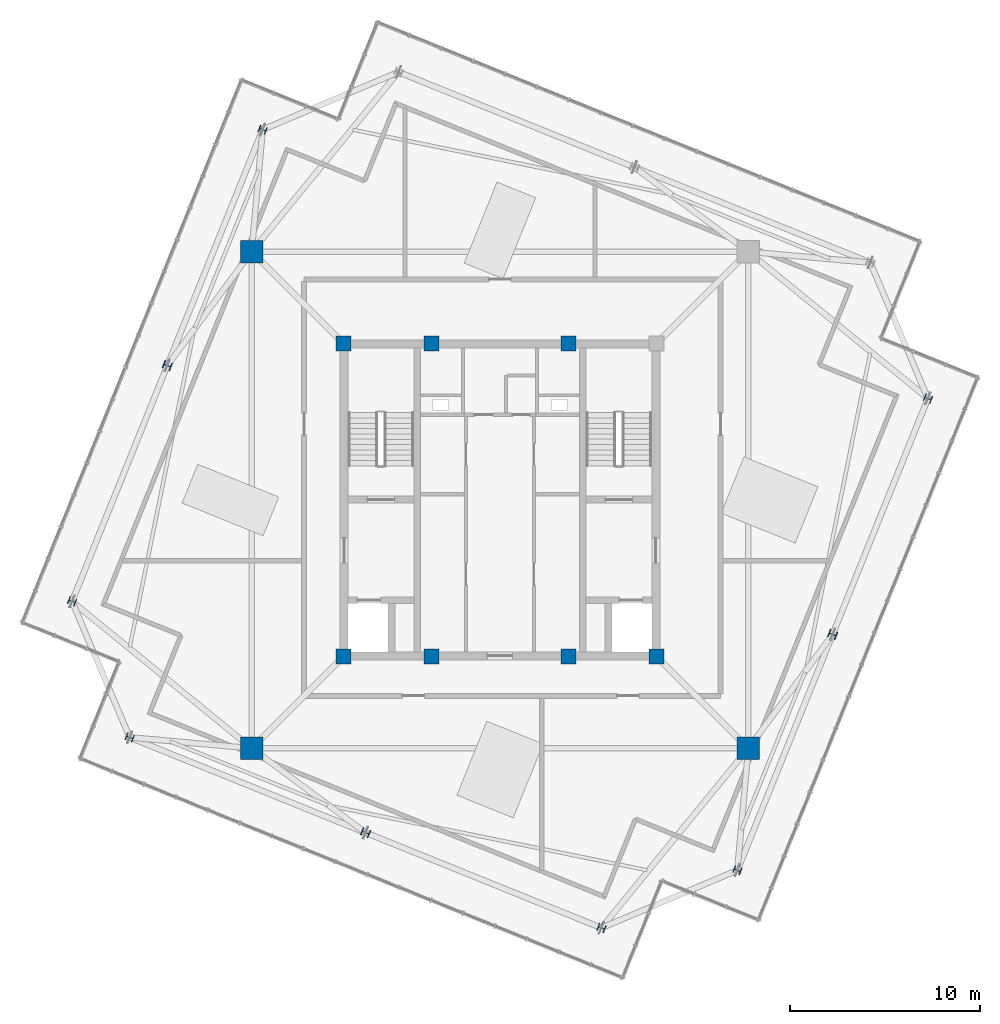
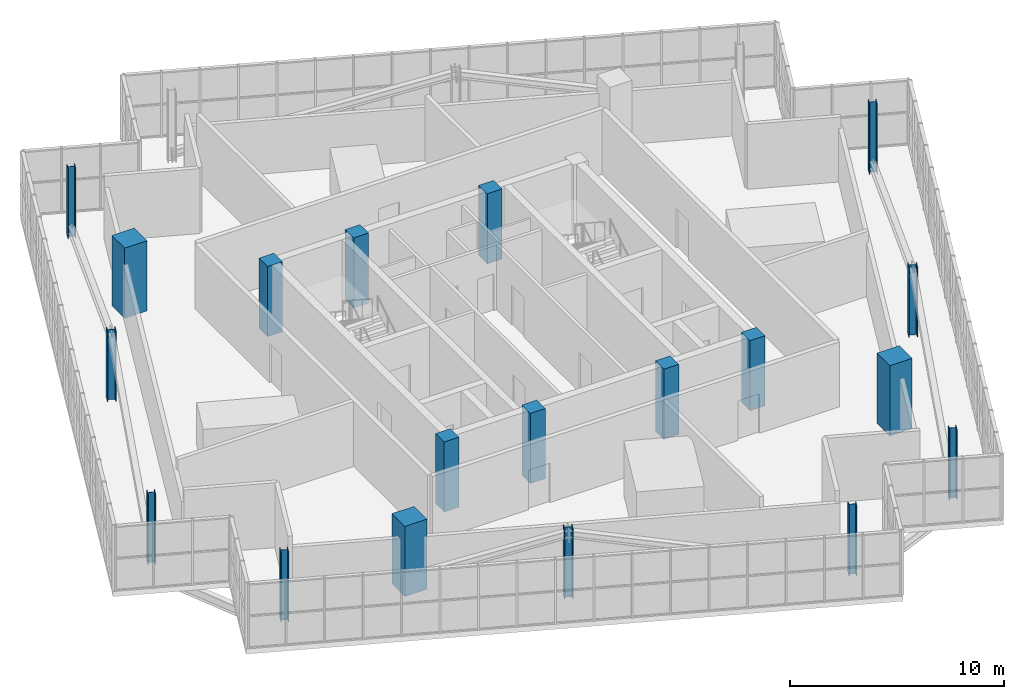
# One storey, part 1 of 26: 19 columns.
"""IFC4 building model written with IfcOpenShell, lengths in metres."""

from ifc_helpers import new_model, si_unit, direction, frame, origin, origin_2d, place, context, subcontext, project, spatial, rectangle, i_section, extrude, source, transform, mapped, material, material_profile, profile_set, type_object, element, save


model = new_model("IFC4")

# Units and contexts
model_context = context("Model", 3, precision=1e-05, world=origin(), true_north=direction((0.0, 1.0)))
body_context = subcontext(model_context, "Body", "Model", "MODEL_VIEW")
ifc_project = project(units=[si_unit("LENGTHUNIT", "METRE"), si_unit("AREAUNIT", "SQUARE_METRE"), si_unit("VOLUMEUNIT", "CUBIC_METRE"), si_unit("PLANEANGLEUNIT", "RADIAN"), si_unit("MASSUNIT", "GRAM", prefix="KILO"), si_unit("THERMODYNAMICTEMPERATUREUNIT", "KELVIN")], contexts=[model_context])

# Site, building, storey
site_placement = place(None, origin())
site = spatial("IfcSite", under=ifc_project, at=site_placement, CompositionType="ELEMENT")
building_placement = place(site_placement, origin())
building = spatial("IfcBuilding", under=site, at=building_placement, Name="Kosmvard Interchange Tower", CompositionType="ELEMENT")
storey_placement = place(building_placement, frame((0.0, 0.0, 329.60009765625)))
storey = spatial("IfcBuildingStorey", under=building, at=storey_placement, Name="L81", CompositionType="ELEMENT", Elevation=329.60009765625)

# Columns
ifc_material_1 = material(Name="Concrete C50/60", Category="concrete")
ifc_material_profile_1 = material_profile(ifc_material_1, rectangle(XDim=0.800048828125, YDim=0.800048828125, at=origin_2d()), Name="CP 800x800")
ifc_profile_set_1 = profile_set([ifc_material_profile_1], Name="Concrete C50/60")
column_type_1 = type_object("IfcColumnType", Name="Core Boundary Pilaster 800x800 C50/60", PredefinedType="PILASTER", material=ifc_profile_set_1)
shared_shape_1 = source(origin(), body_context, "Body", "SweptSolid", [
    extrude(rectangle(XDim=0.800048828125, YDim=0.800048828125, at=origin_2d()), origin(), (0.0, 0.0, 1.0), 4.0),
])
for number, where, z_axis, x_axis, name in (
    (1, (-8.25, -8.25, 0.0), (0.0, 0.0, 1.0), (1.0, 0.0, 0.0), "L81 Core Pilaster CP1"),
    (2, (8.25, -8.25, 0.0), (0.0, 0.0, 1.0), (1.0, 0.0, 0.0), "L81 Core Pilaster CP2"),
    (3, (-8.25, 8.25, 0.0), (0.0, 0.0, 1.0), (1.0, 0.0, 0.0), "L81 Core Pilaster CP4"),
    (4, (-3.60009765625, -8.25, 0.0), (0.0, 0.0, 1.0), (1.0, 0.0, 0.0), "L81 Core Pilaster CP5"),
    (5, (3.60009765625, -8.25, 0.0), (0.0, 0.0, 1.0), (1.0, 0.0, 0.0), "L81 Core Pilaster CP6"),
    (6, (-3.60009765625, 8.25, 0.0), (0.0, 0.0, 1.0), (1.0, 0.0, 0.0), "L81 Core Pilaster CP7"),
    (7, (3.60009765625, 8.25, 0.0), (0.0, 0.0, 1.0), (1.0, 0.0, 0.0), "L81 Core Pilaster CP8"),
):
    element("IfcColumn", number, at=place(storey_placement, frame(where, z_axis=z_axis, x_axis=x_axis)), inside=storey, type_object=column_type_1, Name=name, PredefinedType="PILASTER", context=body_context, shape_type="MappedRepresentation", body=[
        mapped(shared_shape_1, transform((0.0, 0.0, 0.0), scale=1.0)),
    ])
ifc_material_profile_2 = material_profile(ifc_material_1, rectangle(XDim=1.199951171875, YDim=1.199951171875, at=origin_2d()), Name="MC 1200x1200")
ifc_profile_set_2 = profile_set([ifc_material_profile_2], Name="Concrete C50/60")
column_type_2 = type_object("IfcColumnType", Name="Composite Mega-Column 1200x1200 C50/60", PredefinedType="COLUMN", material=ifc_profile_set_2)
shared_shape_2 = source(origin(), body_context, "Body", "SweptSolid", [
    extrude(rectangle(XDim=1.199951171875, YDim=1.199951171875, at=origin_2d()), origin(), (0.0, 0.0, 1.0), 4.0),
])
for number, where, z_axis, x_axis, name in (
    (8, (-13.0810546875, -13.0810546875, 0.0), (0.0, 0.0, 1.0), (1.0, 0.0, 0.0), "L81 Corner Mega-Column MC1"),
    (9, (13.0810546875, -13.0810546875, 0.0), (0.0, 0.0, 1.0), (1.0, 0.0, 0.0), "L81 Corner Mega-Column MC2"),
    (10, (-13.0810546875, 13.0810546875, 0.0), (0.0, 0.0, 1.0), (1.0, 0.0, 0.0), "L81 Corner Mega-Column MC4"),
):
    element("IfcColumn", number, at=place(storey_placement, frame(where, z_axis=z_axis, x_axis=x_axis)), inside=storey, type_object=column_type_2, Name=name, PredefinedType="COLUMN", context=body_context, shape_type="MappedRepresentation", body=[
        mapped(shared_shape_2, transform((0.0, 0.0, 0.0), scale=1.0)),
    ])
ifc_material_2 = material(Name="Steel S355", Category="steel")
ifc_material_profile_3 = material_profile(ifc_material_2, i_section(OverallWidth=0.3759765625, OverallDepth=0.386962890625, WebThickness=0.01953125, FlangeThickness=0.031982421875, FilletRadius=0.014892578125, at=origin_2d()), Name="HD 360x329")
ifc_profile_set_3 = profile_set([ifc_material_profile_3], Name="Steel S355")
column_type_3 = type_object("IfcColumnType", Name="Crown Lantern Corner Post HD 360x329 S355", PredefinedType="COLUMN", material=ifc_profile_set_3)
shared_shape_3 = source(origin(), body_context, "Body", "SweptSolid", [
    extrude(i_section(OverallWidth=0.3759765625, OverallDepth=0.386962890625, WebThickness=0.01953125, FlangeThickness=0.031982421875, FilletRadius=0.014892578125, at=origin_2d()), origin(), (0.0, 0.0, 1.0), 4.0),
])
for number, where, z_axis, x_axis, name in (
    (11, (12.504150390625, -19.50439453125, 0.0), (0.0, 0.0, 1.0), (0.374606593416, 0.927183854567, 0.0), "L81 Crown Frame Leg LL-S1"),
    (12, (22.54345703125, 5.34423828125, 0.0), (0.0, 0.0, 1.0), (0.374606593416, 0.927183854567, 0.0), "L81 Crown Frame Leg LL-S3"),
    (13, (-12.504150390625, 19.50439453125, 0.0), (0.0, 0.0, 1.0), (0.374606593416, 0.927183854567, 0.0), "L81 Crown Frame Leg LL-N1"),
    (14, (-22.54345703125, -5.34423828125, 0.0), (0.0, 0.0, 1.0), (0.374606593416, 0.927183854567, 0.0), "L81 Crown Frame Leg LL-N3"),
    (15, (-19.50439453125, -12.504150390625, 0.0), (0.0, 0.0, 1.0), (0.374606593416, 0.927183854567, 0.0), "L81 Crown Frame Leg LL-W1"),
    (16, (5.34423828125, -22.54345703125, 0.0), (0.0, 0.0, 1.0), (0.374606593416, 0.927183854567, 0.0), "L81 Crown Frame Leg LL-W3"),
):
    element("IfcColumn", number, at=place(storey_placement, frame(where, z_axis=z_axis, x_axis=x_axis)), inside=storey, type_object=column_type_3, Name=name, PredefinedType="COLUMN", context=body_context, shape_type="MappedRepresentation", body=[
        mapped(shared_shape_3, transform((0.0, 0.0, 0.0), scale=1.0)),
    ])
ifc_material_profile_4 = material_profile(ifc_material_2, i_section(OverallWidth=0.408935546875, OverallDepth=0.425048828125, WebThickness=0.02392578125, FlangeThickness=0.0390625, FilletRadius=0.014892578125, at=origin_2d()), Name="HD 400x421")
ifc_profile_set_4 = profile_set([ifc_material_profile_4], Name="Steel S355")
column_type_4 = type_object("IfcColumnType", Name="Crown Lantern Frame Leg HD 400x421 S355", PredefinedType="COLUMN", material=ifc_profile_set_4)
shared_shape_4 = source(origin(), body_context, "Body", "SweptSolid", [
    extrude(i_section(OverallWidth=0.408935546875, OverallDepth=0.425048828125, WebThickness=0.02392578125, FlangeThickness=0.0390625, FilletRadius=0.014892578125, at=origin_2d()), origin(), (0.0, 0.0, 1.0), 4.0),
])
for number, where, z_axis, x_axis, name in (
    (17, (17.523681640625, -7.080078125, 0.0), (0.0, 0.0, 1.0), (0.374606593416, 0.927183854567, 0.0), "L81 Crown Frame Leg LL-S2"),
    (18, (-17.523681640625, 7.080078125, 0.0), (0.0, 0.0, 1.0), (0.374606593416, 0.927183854567, 0.0), "L81 Crown Frame Leg LL-N2"),
    (19, (-7.080078125, -17.523681640625, 0.0), (0.0, 0.0, 1.0), (0.374606593416, 0.927183854567, 0.0), "L81 Crown Frame Leg LL-W2"),
):
    element("IfcColumn", number, at=place(storey_placement, frame(where, z_axis=z_axis, x_axis=x_axis)), inside=storey, type_object=column_type_4, Name=name, PredefinedType="COLUMN", context=body_context, shape_type="MappedRepresentation", body=[
        mapped(shared_shape_4, transform((0.0, 0.0, 0.0), scale=1.0)),
    ])

save(model, "model.ifc")
